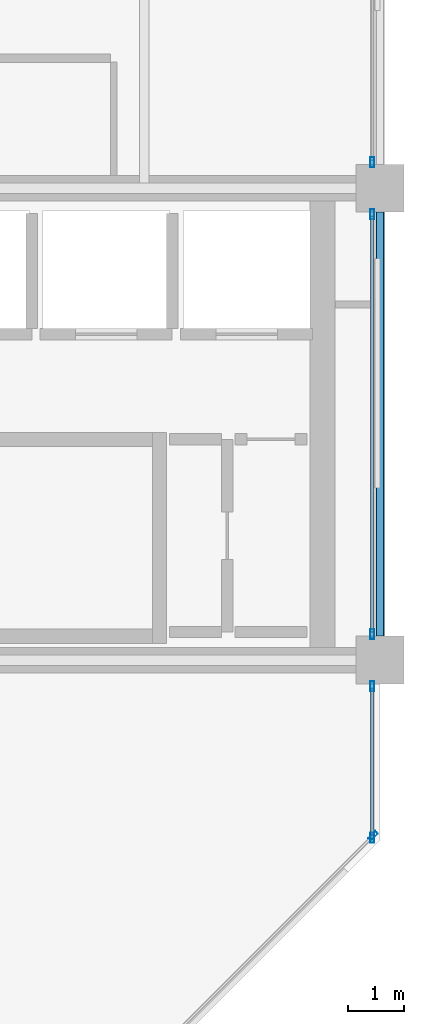
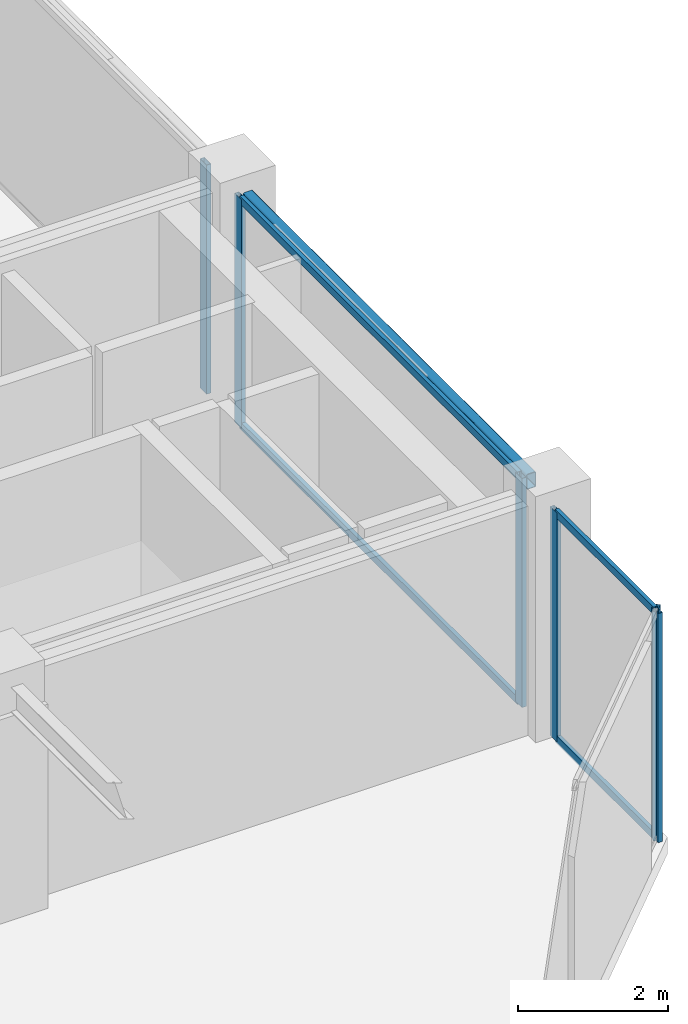
# One storey, part 14 of 24: 10 members, 1 beam, 4 elements without a shape of their own.
"""IFC4 building model written with IfcOpenShell, lengths in metres."""

from ifc_helpers import new_model, si_unit, direction, frame, origin, origin_2d, place, context, subcontext, project, spatial, hollow_rectangle, extrude, material, layer, layer_set, material_profile, profile_set, type_object, element, aggregate, save


model = new_model("IFC4")

# Units and contexts
model_context = context("Model", 3, precision=1e-05, world=origin(), true_north=direction((0.0, 1.0)))
body_context = subcontext(model_context, "Body", "Model", "MODEL_VIEW")
ifc_project = project(units=[si_unit("LENGTHUNIT", "METRE"), si_unit("AREAUNIT", "SQUARE_METRE"), si_unit("VOLUMEUNIT", "CUBIC_METRE"), si_unit("PLANEANGLEUNIT", "RADIAN"), si_unit("MASSUNIT", "GRAM", prefix="KILO")], contexts=[model_context])

# Site, building, storey
site_placement = place(None, origin())
site = spatial("IfcSite", under=ifc_project, at=site_placement, CompositionType="ELEMENT")
building_placement = place(site_placement, origin())
building = spatial("IfcBuilding", under=site, at=building_placement, Name="Nerrivon Quay Data Exchange", CompositionType="ELEMENT")
storey_placement = place(building_placement, frame((0.0, 0.0, 306.199951171875)))
storey = spatial("IfcBuildingStorey", under=building, at=storey_placement, Name="L73", CompositionType="ELEMENT", Elevation=306.199951171875)

# Beam
ifc_material_1 = material(Name="Steel Grade C350L0 (350 MPa)", Category="steel")
ifc_material_profile_1 = material_profile(ifc_material_1, hollow_rectangle(XDim=0.14990234375, YDim=0.25, WallThickness=0.009033203125, InnerFilletRadius=0.013427734375, OuterFilletRadius=0.0224609375, at=origin_2d()), Name="250x150x9.0RHS")
ifc_profile_set_1 = profile_set([ifc_material_profile_1], Name="Steel Grade C350L0 (350 MPa)")
beam_type = type_object("IfcBeamType", Name="BM-SP4-250x150RHS", PredefinedType="SPANDREL", material=ifc_profile_set_1)
beam_placement = place(storey_placement, frame((33.60009765625, 8.824951171875, 3.60009765625), z_axis=(0.0, 1.0, 0.0), x_axis=(-1.0, 0.0, 0.0)))
element("IfcBeam", 1, at=beam_placement, inside=storey, type_object=beam_type, Name="L73 NS Girder X=33.6 (8.4..16.8)", PredefinedType="SPANDREL", context=body_context, shape_type="SweptSolid", body=[
    extrude(hollow_rectangle(XDim=0.14990234375, YDim=0.25, WallThickness=0.009033203125, InnerFilletRadius=0.013427734375, OuterFilletRadius=0.0224609375, at=origin_2d()), origin(), (0.0, 0.0, 1.0), 7.550048828125),
])

# Curtain wall, member
ifc_material_2 = material(Name="Anodised aluminium 6063-T6", Category="aluminium")
ifc_layer = layer(ifc_material_2, 0.195068359375)
ifc_layer_set = layer_set([ifc_layer], Name="Anodised aluminium 6063-T6")
curtain_wall_type = type_object("IfcCurtainWallType", Name="CW-SYS-06", PredefinedType="NOTDEFINED", material=ifc_layer_set)
curtain_wall_1_placement = place(storey_placement, origin())
curtain_wall_1 = element("IfcCurtainWall", 2, at=curtain_wall_1_placement, inside=storey, type_object=curtain_wall_type, Name="L73 Unitised Curtain Wall 1", PredefinedType="NOTDEFINED")
ifc_material_profile_2 = material_profile(ifc_material_2, hollow_rectangle(XDim=0.06494140625, YDim=0.179931640625, WallThickness=0.00341796875, at=origin_2d()), Name="ALU-MULL-180x65")
ifc_profile_set_2 = profile_set([ifc_material_profile_2], Name="Anodised aluminium 6063-T6")
member_type_1 = type_object("IfcMemberType", Name="CWM-180x65", PredefinedType="MULLION", material=ifc_profile_set_2)
member_1_placement = place(storey_placement, frame((33.474365234375, 5.2724609375, 0.0), z_axis=(0.0, 0.0, 1.0), x_axis=(0.707106781187, -0.707106781187, 0.0)))
member_1 = element("IfcMember", 3, at=member_1_placement, type_object=member_type_1, Name="CW06 mullion 1", PredefinedType="MULLION", context=body_context, shape_type="SweptSolid", body=[
    extrude(hollow_rectangle(XDim=0.06494140625, YDim=0.179931640625, WallThickness=0.00341796875, at=origin_2d()), origin(), (0.0, 0.0, 1.0), 3.72509765625),
])
aggregate(curtain_wall_1, [member_1])

curtain_wall_2_placement = place(storey_placement, origin())
curtain_wall_2 = element("IfcCurtainWall", 4, at=curtain_wall_2_placement, inside=storey, type_object=curtain_wall_type, Name="L73 Unitised Curtain Wall 22", PredefinedType="NOTDEFINED")
member_2_placement = place(storey_placement, frame((33.4599609375, 17.262451171875, 0.0), z_axis=(0.0, 0.0, 1.0), x_axis=(1.0, 0.0, 0.0)))
member_2 = element("IfcMember", 5, at=member_2_placement, type_object=member_type_1, Name="CW06 mullion 2", PredefinedType="MULLION", context=body_context, shape_type="SweptSolid", body=[
    extrude(hollow_rectangle(XDim=0.06494140625, YDim=0.179931640625, WallThickness=0.00341796875, at=origin_2d()), origin(), (0.0, 0.0, 1.0), 3.72509765625),
])
aggregate(curtain_wall_2, [member_2])

# Curtain wall, members
curtain_wall_3_placement = place(storey_placement, origin())
curtain_wall_3 = element("IfcCurtainWall", 6, at=curtain_wall_3_placement, inside=storey, type_object=curtain_wall_type, Name="L73 Unitised Curtain Wall 23", PredefinedType="NOTDEFINED")
member_3_placement = place(storey_placement, frame((33.4599609375, 16.33740234375, 0.0), z_axis=(0.0, 0.0, 1.0), x_axis=(1.0, 0.0, 0.0)))
member_3 = element("IfcMember", 7, at=member_3_placement, type_object=member_type_1, Name="CW06 mullion 1", PredefinedType="MULLION", context=body_context, shape_type="SweptSolid", body=[
    extrude(hollow_rectangle(XDim=0.06494140625, YDim=0.179931640625, WallThickness=0.00341796875, at=origin_2d()), origin(), (0.0, 0.0, 1.0), 3.72509765625),
])
member_4_placement = place(storey_placement, frame((33.4599609375, 8.862548828125, 0.0), z_axis=(0.0, 0.0, 1.0), x_axis=(1.0, 0.0, 0.0)))
member_4 = element("IfcMember", 8, at=member_4_placement, type_object=member_type_1, Name="CW06 mullion 2", PredefinedType="MULLION", context=body_context, shape_type="SweptSolid", body=[
    extrude(hollow_rectangle(XDim=0.06494140625, YDim=0.179931640625, WallThickness=0.00341796875, at=origin_2d()), origin(), (0.0, 0.0, 1.0), 3.72509765625),
])

curtain_wall_4_placement = place(storey_placement, origin())
curtain_wall_4 = element("IfcCurtainWall", 9, at=curtain_wall_4_placement, inside=storey, type_object=curtain_wall_type, Name="L73 Unitised Curtain Wall 24", PredefinedType="NOTDEFINED")
member_5_placement = place(storey_placement, frame((33.4599609375, 7.9375, 0.0), z_axis=(0.0, 0.0, 1.0), x_axis=(1.0, 0.0, 0.0)))
member_5 = element("IfcMember", 10, at=member_5_placement, type_object=member_type_1, Name="CW06 mullion 1", PredefinedType="MULLION", context=body_context, shape_type="SweptSolid", body=[
    extrude(hollow_rectangle(XDim=0.06494140625, YDim=0.179931640625, WallThickness=0.00341796875, at=origin_2d()), origin(), (0.0, 0.0, 1.0), 3.72509765625),
])
member_6_placement = place(storey_placement, frame((33.4599609375, 5.237548828125, 0.0), z_axis=(0.0, 0.0, 1.0), x_axis=(1.0, 0.0, 0.0)))
member_6 = element("IfcMember", 11, at=member_6_placement, type_object=member_type_1, Name="CW06 mullion 2", PredefinedType="MULLION", context=body_context, shape_type="SweptSolid", body=[
    extrude(hollow_rectangle(XDim=0.06494140625, YDim=0.179931640625, WallThickness=0.00341796875, at=origin_2d()), origin(), (0.0, 0.0, 1.0), 3.72509765625),
])

# Member
ifc_material_profile_3 = material_profile(ifc_material_2, hollow_rectangle(XDim=0.06005859375, YDim=0.1201171875, WallThickness=0.003173828125, at=origin_2d()), Name="ALU-TRAN-120x60")
ifc_profile_set_3 = profile_set([ifc_material_profile_3], Name="Anodised aluminium 6063-T6")
member_type_2 = type_object("IfcMemberType", Name="CWT-120x60", PredefinedType="USERDEFINED", material=ifc_profile_set_3)
member_7_placement = place(storey_placement, frame((33.4599609375, 16.300048828125, 0.032470703125), z_axis=(0.0, -1.0, 0.0), x_axis=(1.0, 0.0, 0.0)))
member_7 = element("IfcMember", 12, at=member_7_placement, type_object=member_type_2, Name="CW06 transom 1.1", ObjectType="TRANSOM", PredefinedType="USERDEFINED", context=body_context, shape_type="SweptSolid", body=[
    extrude(hollow_rectangle(XDim=0.06005859375, YDim=0.1201171875, WallThickness=0.003173828125, at=origin_2d()), origin(), (0.0, 0.0, 1.0), 7.400146484375),
])

member_8_placement = place(storey_placement, frame((33.4599609375, 16.300048828125, 3.692626953125), z_axis=(0.0, -1.0, 0.0), x_axis=(1.0, 0.0, 0.0)))
member_8 = element("IfcMember", 13, at=member_8_placement, type_object=member_type_2, Name="CW06 transom 1.2", ObjectType="TRANSOM", PredefinedType="USERDEFINED", context=body_context, shape_type="SweptSolid", body=[
    extrude(hollow_rectangle(XDim=0.06005859375, YDim=0.1201171875, WallThickness=0.003173828125, at=origin_2d()), origin(), (0.0, 0.0, 1.0), 7.400146484375),
])

aggregate(curtain_wall_3, [member_3, member_4, member_7, member_8])

member_9_placement = place(storey_placement, frame((33.4599609375, 7.89990234375, 0.032470703125), z_axis=(0.0, -1.0, 0.0), x_axis=(1.0, 0.0, 0.0)))
member_9 = element("IfcMember", 14, at=member_9_placement, type_object=member_type_2, Name="CW06 transom 1.1", ObjectType="TRANSOM", PredefinedType="USERDEFINED", context=body_context, shape_type="SweptSolid", body=[
    extrude(hollow_rectangle(XDim=0.06005859375, YDim=0.1201171875, WallThickness=0.003173828125, at=origin_2d()), origin(), (0.0, 0.0, 1.0), 2.625),
])

member_10_placement = place(storey_placement, frame((33.4599609375, 7.89990234375, 3.692626953125), z_axis=(0.0, -1.0, 0.0), x_axis=(1.0, 0.0, 0.0)))
member_10 = element("IfcMember", 15, at=member_10_placement, type_object=member_type_2, Name="CW06 transom 1.2", ObjectType="TRANSOM", PredefinedType="USERDEFINED", context=body_context, shape_type="SweptSolid", body=[
    extrude(hollow_rectangle(XDim=0.06005859375, YDim=0.1201171875, WallThickness=0.003173828125, at=origin_2d()), origin(), (0.0, 0.0, 1.0), 2.625),
])

aggregate(curtain_wall_4, [member_5, member_6, member_9, member_10])

save(model, "model.ifc")
